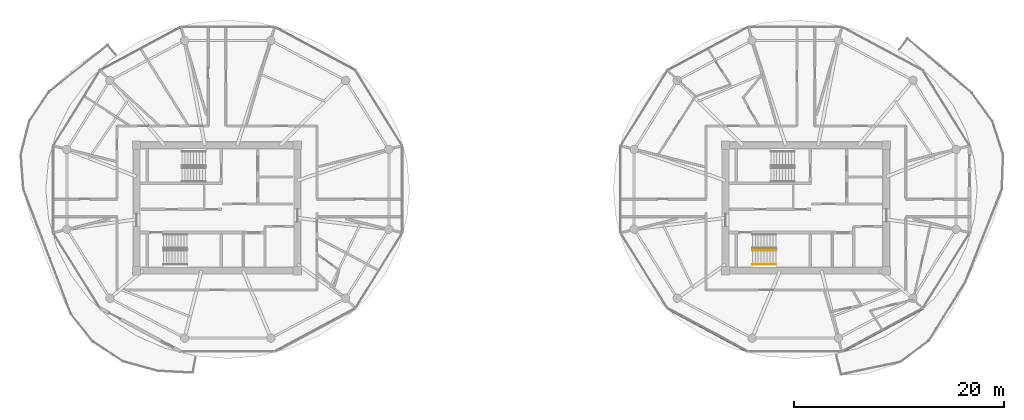
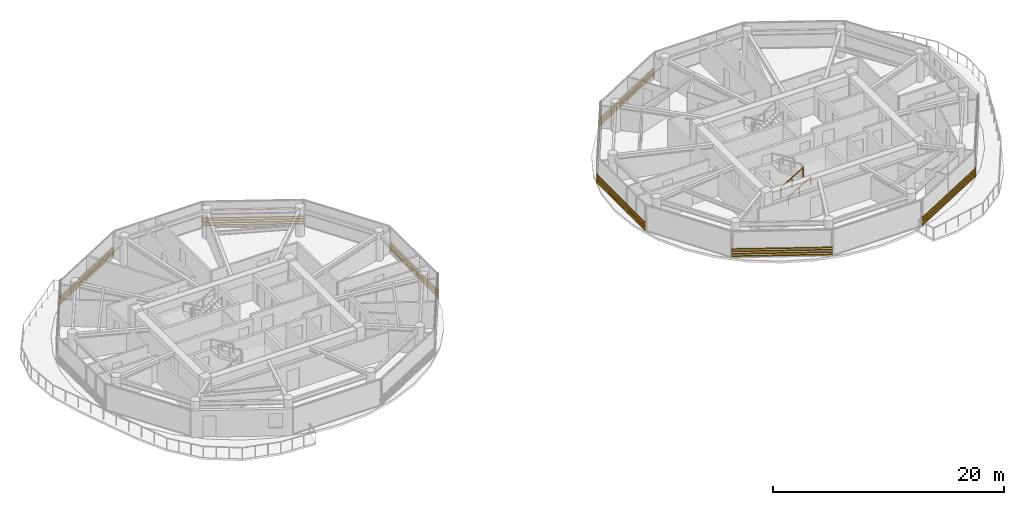
# One storey, part 21 of 23: 7 shading devices, 2 railings.
"""IFC4 building model written with IfcOpenShell, lengths in metres."""

from ifc_helpers import new_model, si_unit, direction, frame, origin, origin_2d, place, context, subcontext, project, spatial, rectangle, extrude, source, transform, mapped, material, type_object, type_shapes, element, save


model = new_model("IFC4")

# Units and contexts
model_context = context("Model", 3, precision=1e-05, world=origin(), true_north=direction((0.0, 1.0)))
body_context = subcontext(model_context, "Body", "Model", "MODEL_VIEW")
ifc_project = project(units=[si_unit("LENGTHUNIT", "METRE"), si_unit("AREAUNIT", "SQUARE_METRE"), si_unit("VOLUMEUNIT", "CUBIC_METRE"), si_unit("PLANEANGLEUNIT", "RADIAN"), si_unit("MASSUNIT", "GRAM", prefix="KILO")], contexts=[model_context])

# Site, building, storey
site_placement = place(None, origin())
site = spatial("IfcSite", under=ifc_project, at=site_placement, CompositionType="ELEMENT")
building_placement = place(site_placement, origin())
building = spatial("IfcBuilding", under=site, at=building_placement, Name="Norrkilde Senior Care Towers", CompositionType="ELEMENT")
storey_placement = place(building_placement, frame((0.0, 0.0, 158.699951171875)))
storey = spatial("IfcBuildingStorey", under=building, at=storey_placement, Name="L49", CompositionType="ELEMENT", Elevation=158.699951171875)

# Railings
ifc_material_1 = material(Name="Stainless Steel", Category="steel")
railing_type_1 = type_object("IfcRailingType", Name="Stair and Terrace Guardrail 1100", PredefinedType="GUARDRAIL", material=ifc_material_1)
railing_1_placement = place(storey_placement, frame((22.89990234375, -4.050048828125, 0.16943359375)))
element("IfcRailing", 1, at=railing_1_placement, inside=storey, type_object=railing_type_1, Name="L49 ST-E2 stair guard 1", PredefinedType="GUARDRAIL", context=body_context, shape_type="SweptSolid", body=[
    extrude(rectangle(XDim=0.048095703125, YDim=0.048095703125, at=origin_2d()), frame((0.0, 0.0, 1.076171875), z_axis=(0.855512035549, 0.0, 0.517782924622), x_axis=(0.0, 1.0, 0.0)), (0.0, 0.0, 1.0), 2.618408203125),
    extrude(rectangle(XDim=0.0419921875, YDim=0.0419921875, at=origin_2d()), origin(), (0.0, 0.0, 1.0), 1.050048828125),
    extrude(rectangle(XDim=0.0419921875, YDim=0.0419921875, at=origin_2d()), frame((1.1201171875, 0.0, 0.677734375)), (0.0, 0.0, 1.0), 1.050048828125),
    extrude(rectangle(XDim=0.0419921875, YDim=0.0419921875, at=origin_2d()), frame((2.239990234375, 0.0, 1.355712890625)), (0.0, 0.0, 1.0), 1.050048828125),
])
ifc_material_2 = material(Name="Nordic Ash Timber", Category="wood")
railing_type_2 = type_object("IfcRailingType", Name="Wall and Stair Handrail 900", PredefinedType="HANDRAIL", material=ifc_material_2)
railing_2_placement = place(storey_placement, frame((22.89990234375, -5.35009765625, 0.16943359375)))
element("IfcRailing", 2, at=railing_2_placement, inside=storey, type_object=railing_type_2, Name="L49 ST-E2 stair handrail 1", PredefinedType="HANDRAIL", context=body_context, shape_type="SweptSolid", body=[
    extrude(rectangle(XDim=0.048095703125, YDim=0.048095703125, at=origin_2d()), frame((0.0, 0.0, 0.8759765625), z_axis=(0.855512035549, 0.0, 0.517782924622), x_axis=(0.0, 1.0, 0.0)), (0.0, 0.0, 1.0), 2.618408203125),
    extrude(rectangle(XDim=0.0419921875, YDim=0.0419921875, at=origin_2d()), origin(), (0.0, 0.0, 1.0), 0.849853515625),
    extrude(rectangle(XDim=0.0419921875, YDim=0.0419921875, at=origin_2d()), frame((1.1201171875, 0.0, 0.677734375)), (0.0, 0.0, 1.0), 0.849853515625),
    extrude(rectangle(XDim=0.0419921875, YDim=0.0419921875, at=origin_2d()), frame((2.239990234375, 0.0, 1.355712890625)), (0.0, 0.0, 1.0), 0.849853515625),
])

# Shading devices
ifc_material_3 = material(Name="Architectural Terracotta", Category="masonry")
shading_device_type = type_object("IfcShadingDeviceType", Name="Horizontal Terracotta Baguette Rack", PredefinedType="USERDEFINED", material=ifc_material_3)
shared_shape_1 = source(origin(), body_context, "Body", "SweptSolid", [
    extrude(rectangle(XDim=0.070068359375, YDim=0.110107421875, at=origin_2d()), frame((0.0, 0.090087890625, 0.125), z_axis=(1.0, 0.0, 0.0), x_axis=(0.0, 1.0, 0.0)), (0.0, 0.0, 1.0), 8.741943359375),
    extrude(rectangle(XDim=0.070068359375, YDim=0.110107421875, at=origin_2d()), frame((0.0, 0.090087890625, 0.375), z_axis=(1.0, 0.0, 0.0), x_axis=(0.0, 1.0, 0.0)), (0.0, 0.0, 1.0), 8.741943359375),
    extrude(rectangle(XDim=0.070068359375, YDim=0.110107421875, at=origin_2d()), frame((0.0, 0.090087890625, 0.625), z_axis=(1.0, 0.0, 0.0), x_axis=(0.0, 1.0, 0.0)), (0.0, 0.0, 1.0), 8.741943359375),
    extrude(rectangle(XDim=0.070068359375, YDim=0.110107421875, at=origin_2d()), frame((0.0, 0.090087890625, 0.875), z_axis=(1.0, 0.0, 0.0), x_axis=(0.0, 1.0, 0.0)), (0.0, 0.0, 1.0), 8.741943359375),
    extrude(rectangle(XDim=0.050048828125, YDim=0.1552734375, at=origin_2d()), frame((0.02490234375, 0.047607421875, 0.0)), (0.0, 0.0, 1.0), 1.0),
    extrude(rectangle(XDim=0.050048828125, YDim=0.1552734375, at=origin_2d()), frame((8.716796875, 0.047607421875, 0.0)), (0.0, 0.0, 1.0), 1.0),
])
for number, where, z_axis, x_axis, name in (
    (3, (-22.528564453125, 17.2109375, 0.080078125), (0.0, 0.0, 1.0), (0.881000921608, -0.473119781048, 0.0), "L49 Drum W Terracotta Baguette Screen 01"),
    (4, (14.826904296875, 13.074951171875, 0.080078125), (0.0, 0.0, 1.0), (0.881000921608, 0.473119781048, 0.0), "L49 Drum E Terracotta Baguette Screen 03"),
    (5, (22.528564453125, -13.66015625, 0.080078125), (0.0, 0.0, 1.0), (-0.881000921608, 0.473119781048, 0.0), "L49 Drum E Terracotta Baguette Screen 07"),
):
    element("IfcShadingDevice", number, at=place(storey_placement, frame(where, z_axis=z_axis, x_axis=x_axis)), inside=storey, type_object=shading_device_type, Name=name, ObjectType="BAGUETTE", PredefinedType="USERDEFINED", context=body_context, shape_type="MappedRepresentation", body=[
        mapped(shared_shape_1, transform((0.0, 0.0, 0.0), x_axis=(1.0, 0.0, 0.0), y_axis=(0.0, 1.0, 0.0), z_axis=(0.0, 0.0, 1.0), scale=1.0)),
    ])
shared_shape_2 = source(origin(), body_context, "Body", "SweptSolid", [
    extrude(rectangle(XDim=0.070068359375, YDim=0.110107421875, at=origin_2d()), frame((0.0, 0.090087890625, 0.125), z_axis=(1.0, 0.0, 0.0), x_axis=(0.0, 1.0, 0.0)), (0.0, 0.0, 1.0), 8.74169921875),
    extrude(rectangle(XDim=0.070068359375, YDim=0.110107421875, at=origin_2d()), frame((0.0, 0.090087890625, 0.375), z_axis=(1.0, 0.0, 0.0), x_axis=(0.0, 1.0, 0.0)), (0.0, 0.0, 1.0), 8.74169921875),
    extrude(rectangle(XDim=0.070068359375, YDim=0.110107421875, at=origin_2d()), frame((0.0, 0.090087890625, 0.625), z_axis=(1.0, 0.0, 0.0), x_axis=(0.0, 1.0, 0.0)), (0.0, 0.0, 1.0), 8.74169921875),
    extrude(rectangle(XDim=0.070068359375, YDim=0.110107421875, at=origin_2d()), frame((0.0, 0.090087890625, 0.875), z_axis=(1.0, 0.0, 0.0), x_axis=(0.0, 1.0, 0.0)), (0.0, 0.0, 1.0), 8.74169921875),
    extrude(rectangle(XDim=0.050048828125, YDim=0.1552734375, at=origin_2d()), frame((0.02490234375, 0.047607421875, 0.0)), (0.0, 0.0, 1.0), 1.0),
    extrude(rectangle(XDim=0.050048828125, YDim=0.1552734375, at=origin_2d()), frame((8.716796875, 0.047607421875, 0.0)), (0.0, 0.0, 1.0), 1.0),
])
for number, where, z_axis, x_axis, name in (
    (6, (-39.123046875, 13.074951171875, 0.080078125), (0.0, 0.0, 1.0), (0.880997598168, 0.47313299447, 0.0), "L49 Drum W Terracotta Baguette Screen 03"),
    (7, (39.123046875, -9.524169921875, 0.080078125), (0.0, 0.0, 1.0), (-0.880997598168, -0.47313299447, 0.0), "L49 Drum E Terracotta Baguette Screen 09"),
):
    element("IfcShadingDevice", number, at=place(storey_placement, frame(where, z_axis=z_axis, x_axis=x_axis)), inside=storey, type_object=shading_device_type, Name=name, ObjectType="BAGUETTE", PredefinedType="USERDEFINED", context=body_context, shape_type="MappedRepresentation", body=[
        mapped(shared_shape_2, transform((0.0, 0.0, 0.0), x_axis=(1.0, 0.0, 0.0), y_axis=(0.0, 1.0, 0.0), z_axis=(0.0, 0.0, 1.0), scale=1.0)),
    ])
shared_shape_3 = source(origin(), body_context, "Body", "SweptSolid", [
    extrude(rectangle(XDim=0.070068359375, YDim=0.110107421875, at=origin_2d()), frame((0.0, 0.090087890625, 0.125), z_axis=(1.0, 0.0, 0.0), x_axis=(0.0, 1.0, 0.0)), (0.0, 0.0, 1.0), 8.27197265625),
    extrude(rectangle(XDim=0.070068359375, YDim=0.110107421875, at=origin_2d()), frame((0.0, 0.090087890625, 0.375), z_axis=(1.0, 0.0, 0.0), x_axis=(0.0, 1.0, 0.0)), (0.0, 0.0, 1.0), 8.27197265625),
    extrude(rectangle(XDim=0.070068359375, YDim=0.110107421875, at=origin_2d()), frame((0.0, 0.090087890625, 0.625), z_axis=(1.0, 0.0, 0.0), x_axis=(0.0, 1.0, 0.0)), (0.0, 0.0, 1.0), 8.27197265625),
    extrude(rectangle(XDim=0.070068359375, YDim=0.110107421875, at=origin_2d()), frame((0.0, 0.090087890625, 0.875), z_axis=(1.0, 0.0, 0.0), x_axis=(0.0, 1.0, 0.0)), (0.0, 0.0, 1.0), 8.27197265625),
    extrude(rectangle(XDim=0.050048828125, YDim=0.1552734375, at=origin_2d()), frame((0.02490234375, 0.047607421875, 0.0)), (0.0, 0.0, 1.0), 1.0),
    extrude(rectangle(XDim=0.050048828125, YDim=0.1552734375, at=origin_2d()), frame((8.2470703125, 0.047607421875, 0.0)), (0.0, 0.0, 1.0), 1.0),
])
type_shapes(shading_device_type, [shared_shape_1, shared_shape_2, shared_shape_3])
for number, where, z_axis, x_axis, name in (
    (8, (-10.38037109375, 5.911376953125, 0.080078125), (0.0, 0.0, 1.0), (0.0, -1.0, 0.0), "L49 Drum W Terracotta Baguette Screen 11"),
    (9, (10.38037109375, -2.360595703125, 0.080078125), (0.0, 0.0, 1.0), (0.0, 1.0, 0.0), "L49 Drum E Terracotta Baguette Screen 05"),
):
    element("IfcShadingDevice", number, at=place(storey_placement, frame(where, z_axis=z_axis, x_axis=x_axis)), inside=storey, type_object=shading_device_type, Name=name, ObjectType="BAGUETTE", PredefinedType="USERDEFINED", context=body_context, shape_type="MappedRepresentation", body=[
        mapped(shared_shape_3, transform((0.0, 0.0, 0.0), x_axis=(1.0, 0.0, 0.0), y_axis=(0.0, 1.0, 0.0), z_axis=(0.0, 0.0, 1.0), scale=1.0)),
    ])

save(model, "model.ifc")
